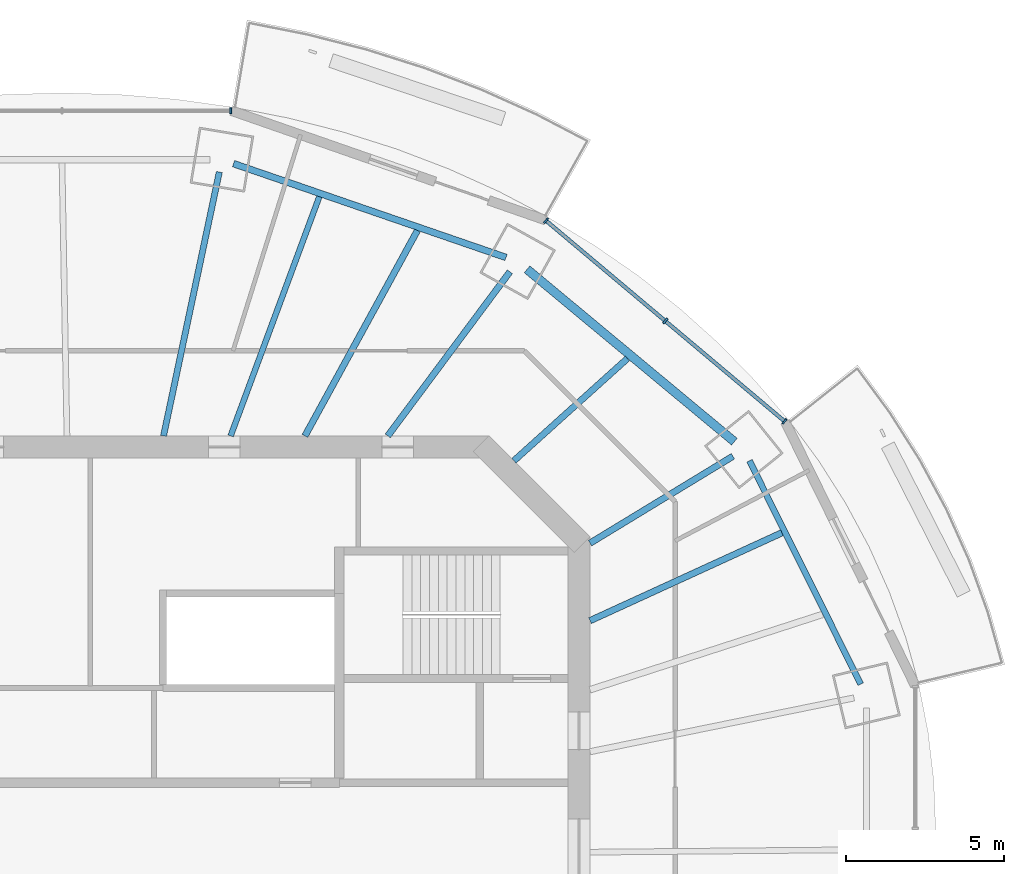
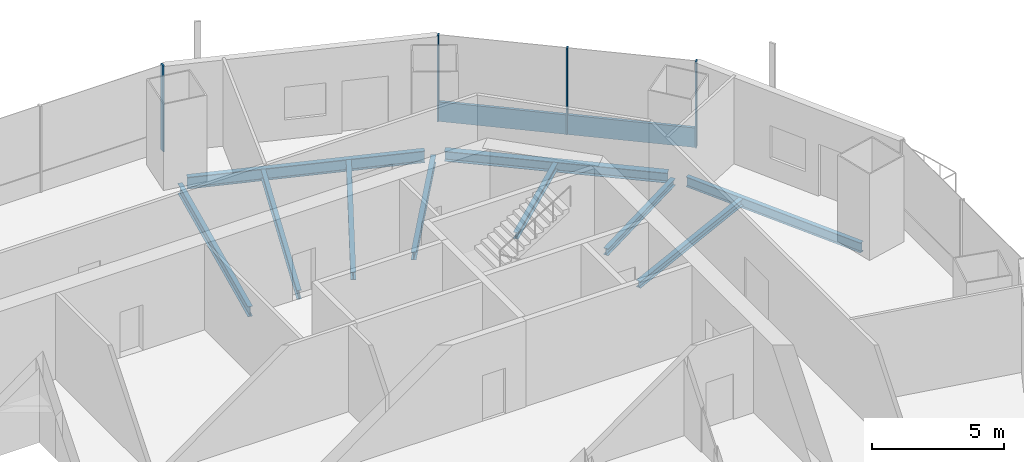
# One storey, part 6 of 16: 10 beams, 5 members, 2 elements without a shape of their own.
"""IFC4 building model written with IfcOpenShell, lengths in metres."""

from ifc_helpers import new_model, si_unit, direction, frame, origin, origin_2d, place, context, subcontext, project, spatial, rectangle, i_section, extrude, material, material_profile, profile_set, type_object, element, aggregate, save


model = new_model("IFC4")

# Units and contexts
model_context = context("Model", 3, precision=1e-05, world=origin(), true_north=direction((0.0, 1.0)))
body_context = subcontext(model_context, "Body", "Model", "MODEL_VIEW")
ifc_project = project(units=[si_unit("LENGTHUNIT", "METRE"), si_unit("AREAUNIT", "SQUARE_METRE"), si_unit("VOLUMEUNIT", "CUBIC_METRE"), si_unit("PLANEANGLEUNIT", "RADIAN"), si_unit("MASSUNIT", "GRAM", prefix="KILO")], contexts=[model_context])

# Site, building, storey
site_placement = place(None, origin())
site = spatial("IfcSite", under=ifc_project, at=site_placement, CompositionType="ELEMENT")
building_placement = place(site_placement, origin())
building = spatial("IfcBuilding", under=site, at=building_placement, Name="Marenthal Gate Tower", CompositionType="ELEMENT")
storey_placement = place(building_placement, frame((0.0, 0.0, 330.14990234375)))
storey = spatial("IfcBuildingStorey", under=building, at=storey_placement, Name="L74", CompositionType="ELEMENT", Elevation=330.14990234375)

# Curtain wall, members
ifc_material_1 = material(Name="Aluminium and glass", Category="aluminium")
curtain_wall_type = type_object("IfcCurtainWallType", Name="Curtain wall typical high", PredefinedType="NOTDEFINED", material=ifc_material_1)
curtain_wall_1_placement = place(storey_placement, origin())
curtain_wall_1 = element("IfcCurtainWall", 1, at=curtain_wall_1_placement, inside=storey, type_object=curtain_wall_type, Name="Curtain wall L74 bay 2", PredefinedType="NOTDEFINED")
ifc_material_2 = material(Name="Aluminium", Category="aluminium")
ifc_material_profile_1 = material_profile(ifc_material_2, rectangle(XDim=0.199951171875, YDim=0.06005859375, at=origin_2d()), Name="60x200 aluminium mullion")
ifc_profile_set_1 = profile_set([ifc_material_profile_1], Name="Aluminium")
member_type_1 = type_object("IfcMemberType", Name="Mullion 60x200 typical high", PredefinedType="MULLION", material=ifc_profile_set_1)
member_1_placement = place(storey_placement, frame((22.51904296875, 13.8125, 0.0), z_axis=(0.0, 0.0, 1.0), x_axis=(-0.643676220215, -0.76529793122, 0.0)))
member_1 = element("IfcMember", 2, at=member_1_placement, type_object=member_type_1, Name="Mullion L74 bay 2.1", PredefinedType="MULLION", context=body_context, shape_type="SweptSolid", body=[
    extrude(rectangle(XDim=0.199951171875, YDim=0.06005859375, at=origin_2d()), origin(), (0.0, 0.0, 1.0), 3.97021484375),
])
member_2_placement = place(storey_placement, frame((18.735595703125, 16.994384765625, 0.0), z_axis=(0.0, 0.0, 1.0), x_axis=(-0.643676220215, -0.76529793122, 0.0)))
member_2 = element("IfcMember", 3, at=member_2_placement, type_object=member_type_1, Name="Mullion L74 bay 2.2", PredefinedType="MULLION", context=body_context, shape_type="SweptSolid", body=[
    extrude(rectangle(XDim=0.199951171875, YDim=0.06005859375, at=origin_2d()), origin(), (0.0, 0.0, 1.0), 3.97021484375),
])
member_3_placement = place(storey_placement, frame((14.952392578125, 20.176513671875, 0.0), z_axis=(0.0, 0.0, 1.0), x_axis=(-0.643676220215, -0.76529793122, 0.0)))
member_3 = element("IfcMember", 4, at=member_3_placement, type_object=member_type_1, Name="Mullion L74 bay 2.3", PredefinedType="MULLION", context=body_context, shape_type="SweptSolid", body=[
    extrude(rectangle(XDim=0.199951171875, YDim=0.06005859375, at=origin_2d()), origin(), (0.0, 0.0, 1.0), 3.97021484375),
])

# Curtain wall, member
curtain_wall_2_placement = place(storey_placement, origin())
curtain_wall_2 = element("IfcCurtainWall", 5, at=curtain_wall_2_placement, inside=storey, type_object=curtain_wall_type, Name="Curtain wall L74 bay 4", PredefinedType="NOTDEFINED")
member_4_placement = place(storey_placement, frame((4.952880859375, 23.6611328125, 0.0), z_axis=(0.0, 0.0, 1.0), x_axis=(0.0, -1.0, 0.0)))
member_4 = element("IfcMember", 6, at=member_4_placement, type_object=member_type_1, Name="Mullion L74 bay 4.1", PredefinedType="MULLION", context=body_context, shape_type="SweptSolid", body=[
    extrude(rectangle(XDim=0.199951171875, YDim=0.06005859375, at=origin_2d()), origin(), (0.0, 0.0, 1.0), 3.97021484375),
])
aggregate(curtain_wall_2, [member_4])

# Member
ifc_material_3 = material(Name="Aluminium", Category="aluminium")
ifc_material_profile_2 = material_profile(ifc_material_3, rectangle(XDim=0.1201171875, YDim=0.89990234375, at=origin_2d()), Name="120x900 aluminium transom")
ifc_profile_set_2 = profile_set([ifc_material_profile_2], Name="Aluminium")
member_type_2 = type_object("IfcMemberType", Name="Transom 120x900 typical high", PredefinedType="USERDEFINED", material=ifc_profile_set_2)
member_5_placement = place(storey_placement, frame((22.49609375, 13.831787109375, 0.4501953125), z_axis=(-0.765303397989, 0.643669720451, 0.0), x_axis=(-0.643669720451, -0.765303397989, 0.0)))
member_5 = element("IfcMember", 7, at=member_5_placement, type_object=member_type_2, Name="Transom L74 bay 2", ObjectType="TRANSOM", PredefinedType="USERDEFINED", context=body_context, shape_type="SweptSolid", body=[
    extrude(rectangle(XDim=0.1201171875, YDim=0.89990234375, at=origin_2d()), origin(), (0.0, 0.0, 1.0), 9.8271484375),
])

aggregate(curtain_wall_1, [member_1, member_2, member_3, member_5])

# Beams
ifc_material_4 = material(Name="Steel S355", Category="steel")
ifc_material_profile_3 = material_profile(ifc_material_4, i_section(OverallWidth=0.202880859375, OverallDepth=0.302001953125, WebThickness=0.007568359375, FlangeThickness=0.01318359375, FilletRadius=0.0126953125, at=origin_2d()), Name="W310X60")
ifc_profile_set_3 = profile_set([ifc_material_profile_3], Name="Steel S355")
beam_type_1 = type_object("IfcBeamType", Name="W310X60 beam", PredefinedType="BEAM", material=ifc_profile_set_3)
beam_1_placement = place(storey_placement, frame((17.53515625, 15.804443359375, -0.330810546875), z_axis=(-0.742805488251, -0.669507286461, 0.0), x_axis=(0.669507286461, -0.742805488251, 0.0)))
element("IfcBeam", 8, at=beam_1_placement, inside=storey, type_object=beam_type_1, Name="BM-L74-19", PredefinedType="BEAM", context=body_context, shape_type="SweptSolid", body=[
    extrude(i_section(OverallWidth=0.202880859375, OverallDepth=0.302001953125, WebThickness=0.007568359375, FlangeThickness=0.01318359375, FilletRadius=0.0126953125, at=origin_2d()), origin(), (0.0, 0.0, 1.0), 4.84619140625),
])
ifc_material_5 = material(Name="Steel S355", Category="steel")
ifc_material_profile_4 = material_profile(ifc_material_5, i_section(OverallWidth=0.205078125, OverallDepth=0.31005859375, WebThickness=0.009521484375, FlangeThickness=0.016357421875, FilletRadius=0.0126953125, at=origin_2d()), Name="W310X74")
ifc_profile_set_4 = profile_set([ifc_material_profile_4], Name="Steel S355")
beam_type_2 = type_object("IfcBeamType", Name="W310X74 beam", PredefinedType="BEAM", material=ifc_profile_set_4)
beam_2_placement = place(storey_placement, frame((20.8798828125, 12.703369140625, -0.3349609375), z_axis=(-0.854315900553, -0.519754116926, 0.0), x_axis=(0.519754116926, -0.854315900553, 0.0)))
element("IfcBeam", 9, at=beam_2_placement, inside=storey, type_object=beam_type_2, Name="BM-L74-02", PredefinedType="BEAM", context=body_context, shape_type="SweptSolid", body=[
    extrude(i_section(OverallWidth=0.205078125, OverallDepth=0.31005859375, WebThickness=0.009521484375, FlangeThickness=0.016357421875, FilletRadius=0.0126953125, at=origin_2d()), origin(), (0.0, 0.0, 1.0), 5.30224609375),
])
beam_3_placement = place(storey_placement, frame((22.43603515625, 10.27685546875, -0.3349609375), z_axis=(-0.909152291701, -0.416463816549, 0.0), x_axis=(0.416463816549, -0.909152291701, 0.0)))
element("IfcBeam", 10, at=beam_3_placement, inside=storey, type_object=beam_type_2, Name="BM-L74-18", PredefinedType="BEAM", context=body_context, shape_type="SweptSolid", body=[
    extrude(i_section(OverallWidth=0.205078125, OverallDepth=0.31005859375, WebThickness=0.009521484375, FlangeThickness=0.016357421875, FilletRadius=0.0126953125, at=origin_2d()), origin(), (0.0, 0.0, 1.0), 6.694091796875),
])
ifc_material_6 = material(Name="Steel S355", Category="steel")
ifc_material_profile_5 = material_profile(ifc_material_6, i_section(OverallWidth=0.205078125, OverallDepth=0.35302734375, WebThickness=0.009521484375, FlangeThickness=0.016845703125, FilletRadius=0.014892578125, at=origin_2d()), Name="W360X79")
ifc_profile_set_5 = profile_set([ifc_material_profile_5], Name="Steel S355")
beam_type_3 = type_object("IfcBeamType", Name="W360X79 beam", PredefinedType="BEAM", material=ifc_profile_set_5)
beam_4_placement = place(storey_placement, frame((13.807861328125, 18.554931640625, -0.3564453125), z_axis=(-0.597003447578, -0.80223866996, 0.0), x_axis=(0.80223866996, -0.597003447578, 0.0)))
element("IfcBeam", 11, at=beam_4_placement, inside=storey, type_object=beam_type_3, Name="BM-L74-03", PredefinedType="BEAM", context=body_context, shape_type="SweptSolid", body=[
    extrude(i_section(OverallWidth=0.205078125, OverallDepth=0.35302734375, WebThickness=0.009521484375, FlangeThickness=0.016845703125, FilletRadius=0.014892578125, at=origin_2d()), origin(), (0.0, 0.0, 1.0), 6.48779296875),
])
beam_5_placement = place(storey_placement, frame((10.874267578125, 19.8642578125, -0.3564453125), z_axis=(-0.480199005687, -0.877159572106, 0.0), x_axis=(0.877159572106, -0.480199005687, 0.0)))
element("IfcBeam", 12, at=beam_5_placement, inside=storey, type_object=beam_type_3, Name="BM-L74-20", PredefinedType="BEAM", context=body_context, shape_type="SweptSolid", body=[
    extrude(i_section(OverallWidth=0.205078125, OverallDepth=0.35302734375, WebThickness=0.009521484375, FlangeThickness=0.016845703125, FilletRadius=0.014892578125, at=origin_2d()), origin(), (0.0, 0.0, 1.0), 7.426513671875),
])
ifc_material_7 = material(Name="Steel S355", Category="steel")
ifc_material_profile_6 = material_profile(ifc_material_7, i_section(OverallWidth=0.180908203125, OverallDepth=0.4169921875, WebThickness=0.010986328125, FlangeThickness=0.018310546875, FilletRadius=0.01025390625, at=origin_2d()), Name="W410X85")
ifc_profile_set_6 = profile_set([ifc_material_profile_6], Name="Steel S355")
beam_type_4 = type_object("IfcBeamType", Name="W410X85 beam", PredefinedType="BEAM", material=ifc_profile_set_6)
beam_6_placement = place(storey_placement, frame((7.763427734375, 20.935546875, -0.388427734375), z_axis=(-0.347701569799, -0.937605257216, 0.0), x_axis=(0.937605257216, -0.347701569799, 0.0)))
element("IfcBeam", 13, at=beam_6_placement, inside=storey, type_object=beam_type_4, Name="BM-L74-21", PredefinedType="BEAM", context=body_context, shape_type="SweptSolid", body=[
    extrude(i_section(OverallWidth=0.180908203125, OverallDepth=0.4169921875, WebThickness=0.010986328125, FlangeThickness=0.018310546875, FilletRadius=0.01025390625, at=origin_2d()), origin(), (0.0, 0.0, 1.0), 8.09033203125),
])
ifc_material_8 = material(Name="Steel S355", Category="steel")
ifc_material_profile_7 = material_profile(ifc_material_8, i_section(OverallWidth=0.279052734375, OverallDepth=0.4619140625, WebThickness=0.0107421875, FlangeThickness=0.017333984375, FilletRadius=0.010009765625, at=origin_2d()), Name="W460X113")
ifc_profile_set_7 = profile_set([ifc_material_profile_7], Name="Steel S355")
beam_type_5 = type_object("IfcBeamType", Name="W460X113 beam", PredefinedType="BEAM", material=ifc_profile_set_7)
beam_7_placement = place(storey_placement, frame((20.92626953125, 13.16650390625, -0.410888671875), z_axis=(-0.768948693019, 0.639310493817, 0.0), x_axis=(-0.639310493817, -0.768948693019, 0.0)))
element("IfcBeam", 14, at=beam_7_placement, inside=storey, type_object=beam_type_5, Name="BM-L74-42", PredefinedType="BEAM", context=body_context, shape_type="SweptSolid", body=[
    extrude(i_section(OverallWidth=0.279052734375, OverallDepth=0.4619140625, WebThickness=0.0107421875, FlangeThickness=0.017333984375, FilletRadius=0.010009765625, at=origin_2d()), origin(), (0.0, 0.0, 1.0), 8.550048828125),
])
ifc_material_9 = material(Name="Steel S355", Category="steel")
ifc_material_profile_8 = material_profile(ifc_material_9, i_section(OverallWidth=0.19091796875, OverallDepth=0.45703125, WebThickness=0.009033203125, FlangeThickness=0.014404296875, FilletRadius=0.01025390625, at=origin_2d()), Name="W460X74")
ifc_profile_set_8 = profile_set([ifc_material_profile_8], Name="Steel S355")
beam_type_6 = type_object("IfcBeamType", Name="W460X74 beam", PredefinedType="BEAM", material=ifc_profile_set_8)
beam_8_placement = place(storey_placement, frame((24.934814453125, 5.4755859375, -0.408447265625), z_axis=(-0.445942547234, 0.895061587024, 0.0), x_axis=(-0.895061587024, -0.445942547234, 0.0)))
element("IfcBeam", 15, at=beam_8_placement, inside=storey, type_object=beam_type_6, Name="BM-L74-41", PredefinedType="BEAM", context=body_context, shape_type="SweptSolid", body=[
    extrude(i_section(OverallWidth=0.19091796875, OverallDepth=0.45703125, WebThickness=0.009033203125, FlangeThickness=0.014404296875, FilletRadius=0.01025390625, at=origin_2d()), origin(), (0.0, 0.0, 1.0), 7.91650390625),
])
ifc_material_10 = material(Name="Steel S355", Category="steel")
ifc_material_profile_9 = material_profile(ifc_material_10, i_section(OverallWidth=0.193115234375, OverallDepth=0.467041015625, WebThickness=0.011474609375, FlangeThickness=0.01904296875, FilletRadius=0.010009765625, at=origin_2d()), Name="W460X97")
ifc_profile_set_9 = profile_set([ifc_material_profile_9], Name="Steel S355")
beam_type_7 = type_object("IfcBeamType", Name="W460X97 beam", PredefinedType="BEAM", material=ifc_profile_set_9)
beam_9_placement = place(storey_placement, frame((4.591796875, 21.71923828125, -0.413330078125), z_axis=(-0.206834606469, -0.978375922418, 0.0), x_axis=(0.978375922418, -0.206834606469, 0.0)))
element("IfcBeam", 16, at=beam_9_placement, inside=storey, type_object=beam_type_7, Name="BM-L74-04", PredefinedType="BEAM", context=body_context, shape_type="SweptSolid", body=[
    extrude(i_section(OverallWidth=0.193115234375, OverallDepth=0.467041015625, WebThickness=0.011474609375, FlangeThickness=0.01904296875, FilletRadius=0.010009765625, at=origin_2d()), origin(), (0.0, 0.0, 1.0), 8.55419921875),
])
ifc_material_11 = material(Name="Steel S355", Category="steel")
ifc_material_profile_10 = material_profile(ifc_material_11, i_section(OverallWidth=0.2119140625, OverallDepth=0.5439453125, WebThickness=0.01318359375, FlangeThickness=0.021240234375, FilletRadius=0.0126953125, at=origin_2d()), Name="W530X123")
ifc_profile_set_10 = profile_set([ifc_material_profile_10], Name="Steel S355")
beam_type_8 = type_object("IfcBeamType", Name="W530X123 beam", PredefinedType="BEAM", material=ifc_profile_set_10)
beam_10_placement = place(storey_placement, frame((13.68408203125, 19.0087890625, -0.451904296875), z_axis=(-0.945509417858, 0.325594749254, 0.0), x_axis=(-0.325594749254, -0.945509417858, 0.0)))
element("IfcBeam", 17, at=beam_10_placement, inside=storey, type_object=beam_type_8, Name="BM-L74-43", PredefinedType="BEAM", context=body_context, shape_type="SweptSolid", body=[
    extrude(i_section(OverallWidth=0.2119140625, OverallDepth=0.5439453125, WebThickness=0.01318359375, FlangeThickness=0.021240234375, FilletRadius=0.0126953125, at=origin_2d()), origin(), (0.0, 0.0, 1.0), 9.14111328125),
])

save(model, "model.ifc")
